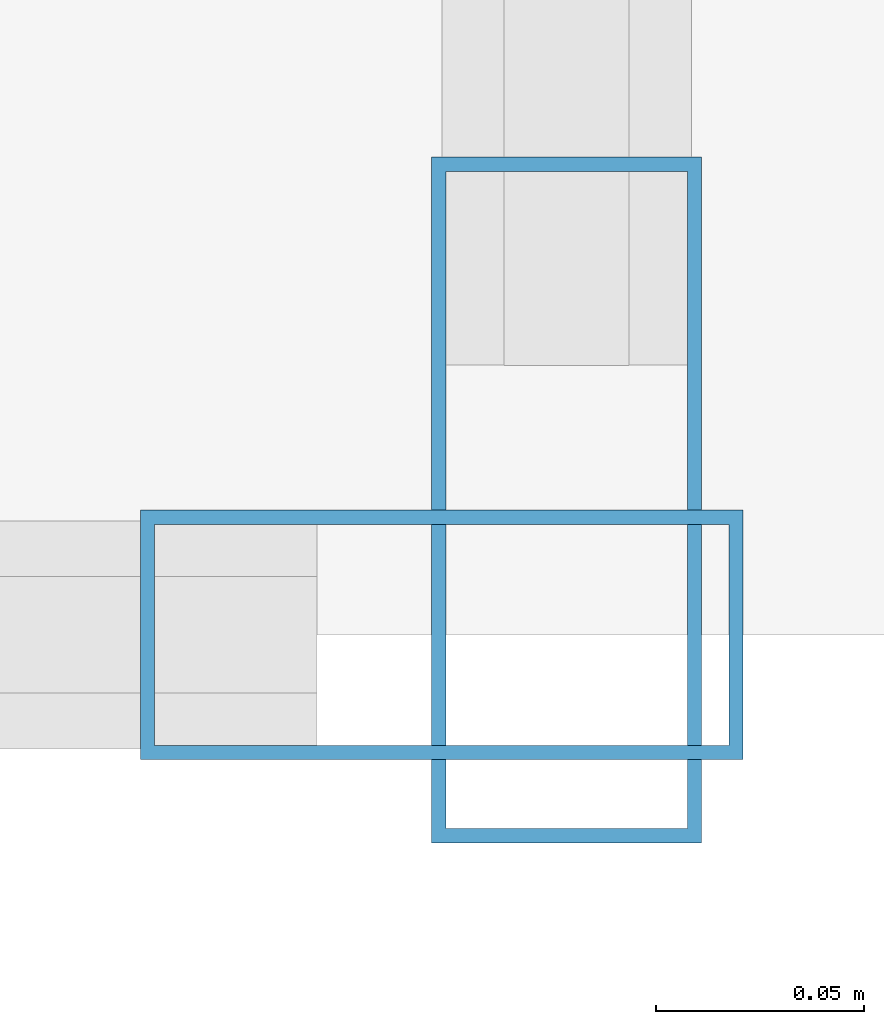
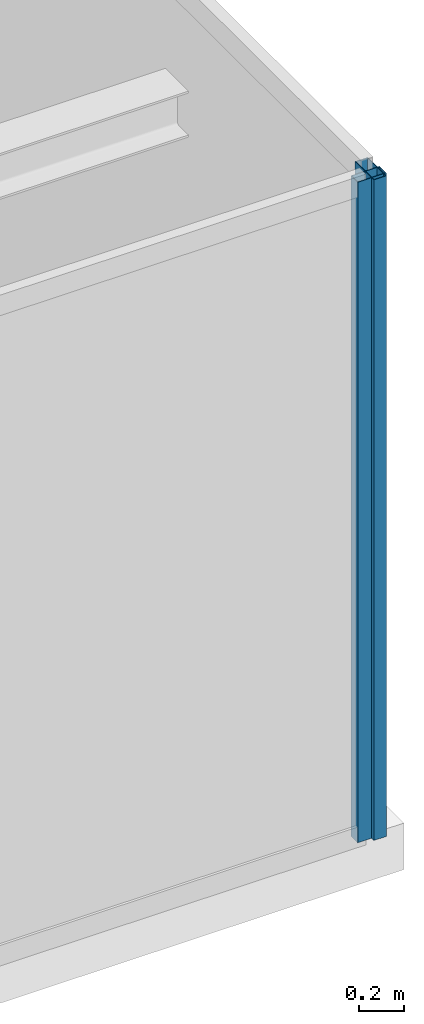
# One storey, part 14 of 27: 2 members, 2 elements without a shape of their own.
"""IFC4 building model written with IfcOpenShell, lengths in metres."""

import ifcopenshell
import ifcopenshell.guid

model = None  # the IFC model being written
_history = None  # IfcOwnerHistory: only IFC2X3 demands one
_inside = {}  # id of a spatial element -> (the spatial element, [elements in it])
_under = {}  # id of a project, library or spatial element -> (it, [spatial elements below it])
_declared = {}  # id of a project -> (the project, [libraries it declares])
_typed = {}  # id of a type object -> (the type object, [elements of that type])
_made_of = {}  # id of a material, layer set ... -> (it, [elements and type objects made of it])


def new_model(schema):
    """Start an empty IFC model of exactly this schema.

    Asked for "IFC4X3", IfcOpenShell would pick the latest addendum, in which some entities
    have other attributes; the version numbers below select the first issue.
    IFC2X3 requires an IfcOwnerHistory on every rooted entity: one is made here for all.
    """
    global model, _history
    if schema == "IFC4X3":
        model = ifcopenshell.file(schema_version=(4, 3, 0, 0))
    else:
        model = ifcopenshell.file(schema=schema)
    _inside.clear()
    _under.clear()
    _declared.clear()
    _typed.clear()
    _made_of.clear()
    _history = None
    if model.schema == "IFC2X3":
        org = make("IfcOrganization", Name="unknown")
        user = make(
            "IfcPersonAndOrganization",
            ThePerson=make("IfcPerson", FamilyName="unknown"),
            TheOrganization=org,
        )
        app = make(
            "IfcApplication",
            ApplicationDeveloper=org,
            Version="unknown",
            ApplicationFullName="unknown",
            ApplicationIdentifier="unknown",
        )
        _history = make(
            "IfcOwnerHistory",
            OwningUser=user,
            OwningApplication=app,
            ChangeAction="ADDED",
            CreationDate=0,
        )
    return model


def make(cls, **values):
    """One entity of the class cls with the attributes given. An attribute that is None is left unset."""
    return model.create_entity(
        cls, **{name: value for name, value in values.items() if value is not None}
    )


def rooted(cls, **values):
    """An entity with a GlobalId (a new one), such as an element, a storey or a relation."""
    return make(cls, GlobalId=ifcopenshell.guid.new(), OwnerHistory=_history, **values)


def si_unit(unit_type, name, prefix=None):
    """IfcSIUnit, for example si_unit("LENGTHUNIT", "METRE", prefix="MILLI")."""
    return make("IfcSIUnit", UnitType=unit_type, Prefix=prefix, Name=name)


def assignment(units):
    """IfcUnitAssignment: the units of a project."""
    return None if units is None else make("IfcUnitAssignment", Units=units)


def point(xyz):
    """IfcCartesianPoint."""
    return None if xyz is None else make("IfcCartesianPoint", Coordinates=xyz)


def direction(xyz):
    """IfcDirection."""
    return None if xyz is None else make("IfcDirection", DirectionRatios=xyz)


def frame(location, z_axis=None, x_axis=None):
    """IfcAxis2Placement3D, a coordinate frame: its origin and axes. An axis left out is left unset."""
    return make(
        "IfcAxis2Placement3D",
        Location=point(location),
        Axis=direction(z_axis),
        RefDirection=direction(x_axis),
    )


def frame_2d(location, x_axis=None):
    """IfcAxis2Placement2D, a coordinate frame in the plane: its origin and x axis."""
    return make(
        "IfcAxis2Placement2D", Location=point(location), RefDirection=direction(x_axis)
    )


def origin():
    """The frame at (0, 0, 0) with its axes left unset."""
    return frame((0.0, 0.0, 0.0))


def origin_2d():
    """The frame at (0, 0) in the plane with its x axis left unset."""
    return frame_2d((0.0, 0.0))


def place(relative_to, where):
    """IfcLocalPlacement: puts the frame where relative to a parent placement (None: the world)."""
    return make(
        "IfcLocalPlacement", PlacementRelTo=relative_to, RelativePlacement=where
    )


def context(
    kind, dimensions, precision=None, world=None, true_north=None, identifier=None
):
    """IfcGeometricRepresentationContext, for example the 3D "Model" context."""
    return make(
        "IfcGeometricRepresentationContext",
        ContextIdentifier=identifier,
        ContextType=kind,
        CoordinateSpaceDimension=dimensions,
        Precision=precision,
        WorldCoordinateSystem=world,
        TrueNorth=true_north,
    )


def subcontext(parent, identifier, kind, view, scale=None):
    """IfcGeometricRepresentationSubContext, for example "Body" below "Model"."""
    return make(
        "IfcGeometricRepresentationSubContext",
        ContextIdentifier=identifier,
        ContextType=kind,
        ParentContext=parent,
        TargetScale=scale,
        TargetView=view,
    )


def project(units=None, contexts=None):
    """IfcProject with its units and contexts."""
    return rooted(
        "IfcProject",
        Name="project",
        RepresentationContexts=contexts,
        UnitsInContext=assignment(units),
    )


def spatial(cls, under=None, at=None, **own):
    """A site, building, storey or space (cls), placed at a placement, below another one or the project."""
    s = rooted(cls, ObjectPlacement=at, **own)
    if under is not None:
        _under.setdefault(under.id(), (under, []))[1].append(s)
    return s


def profile(cls, at=None, kind="AREA", **sizes):
    """A parametric profile (cls). Its sizes go by their IFC names, for example OverallWidth=200.0."""
    return make(cls, ProfileType=kind, Position=at, **sizes)


def hollow_rectangle(**sizes):
    """IfcRectangleHollowProfileDef."""
    return profile("IfcRectangleHollowProfileDef", **sizes)


def extrude(swept, where, along, depth):
    """IfcExtrudedAreaSolid: the profile swept, set in the frame where, extruded along a direction by depth."""
    return make(
        "IfcExtrudedAreaSolid",
        SweptArea=swept,
        Position=where,
        ExtrudedDirection=direction(along),
        Depth=depth,
    )


def shape(context_of_items, identifier, shape_type, items):
    """IfcShapeRepresentation: the items that make up one representation, for example the "Body"."""
    return make(
        "IfcShapeRepresentation",
        ContextOfItems=context_of_items,
        RepresentationIdentifier=identifier,
        RepresentationType=shape_type,
        Items=items,
    )


def source(mapping_origin, context_of_items, identifier, shape_type, items):
    """IfcRepresentationMap: a shape defined once, which mapped items show again and again."""
    return make(
        "IfcRepresentationMap",
        MappingOrigin=mapping_origin,
        MappedRepresentation=shape(context_of_items, identifier, shape_type, items),
    )


def transform(
    local_origin,
    x_axis=None,
    y_axis=None,
    z_axis=None,
    scale=None,
    scale2=None,
    scale3=None,
    uniform=True,
):
    """IfcCartesianTransformationOperator3D, or its non-uniform kind. x_axis, y_axis, z_axis: its Axis1, 2, 3."""
    if uniform:
        return make(
            "IfcCartesianTransformationOperator3D",
            Axis1=direction(x_axis),
            Axis2=direction(y_axis),
            LocalOrigin=point(local_origin),
            Scale=scale,
            Axis3=direction(z_axis),
        )
    return make(
        "IfcCartesianTransformationOperator3DnonUniform",
        Axis1=direction(x_axis),
        Axis2=direction(y_axis),
        LocalOrigin=point(local_origin),
        Scale=scale,
        Axis3=direction(z_axis),
        Scale2=scale2,
        Scale3=scale3,
    )


def mapped(mapping_source, mapping_target):
    """IfcMappedItem: shows the shape of a source again, moved by a transform."""
    return make(
        "IfcMappedItem", MappingSource=mapping_source, MappingTarget=mapping_target
    )


def material(Name=None, Category=None):
    """IfcMaterial."""
    return make("IfcMaterial", Name=Name, Category=Category)


def layer(
    of_material, thickness, ventilated=None, Name=None, Category=None, Priority=None
):
    """IfcMaterialLayer: one layer of a wall or slab, of a material (None: an air gap)."""
    return make(
        "IfcMaterialLayer",
        Material=of_material,
        LayerThickness=thickness,
        IsVentilated=ventilated,
        Name=Name,
        Category=Category,
        Priority=Priority,
    )


def layer_set(layers, Name=None):
    """IfcMaterialLayerSet."""
    return make("IfcMaterialLayerSet", MaterialLayers=layers, LayerSetName=Name)


def material_profile(
    of_material, cross_section, Name=None, Category=None, Priority=None
):
    """IfcMaterialProfile: a cross section and its material."""
    return make(
        "IfcMaterialProfile",
        Name=Name,
        Material=of_material,
        Profile=cross_section,
        Priority=Priority,
        Category=Category,
    )


def profile_set(profiles, Name=None, composite=None):
    """IfcMaterialProfileSet."""
    return make(
        "IfcMaterialProfileSet",
        Name=Name,
        MaterialProfiles=profiles,
        CompositeProfile=composite,
    )


def made_of(thing, what):
    """Note that an element or type object is made of a material, layer set ...; save() writes the relation."""
    if what is not None:
        _made_of.setdefault(what.id(), (what, []))[1].append(thing)
    return thing


def type_object(cls, material=None, **own):
    """A type object (cls), such as IfcWallType, which elements share."""
    return made_of(rooted(cls, **own), material)


def type_shapes(of_type, sources):
    """Give a type object the sources (RepresentationMaps) that its elements show as mapped items."""
    of_type.RepresentationMaps = sources


def element(
    cls,
    number,
    at=None,
    inside=None,
    cuts=None,
    type_object=None,
    material=None,
    context=None,
    identifier="Body",
    shape_type=None,
    held_by="IfcProductDefinitionShape",
    body=None,
    shapes=None,
    **own,
):
    """One element of the class cls, such as IfcWall. Its Tag is "e" and its number.

    at: its placement. inside: the storey or other place that contains it. cuts: it is an
    opening in that element (IfcRelVoidsElement). A single representation is given by context,
    identifier, shape_type and body (its items); several are given by shapes. held_by: the class
    of the entity that holds the representations. save() writes the other relations.
    """
    e = rooted(cls, Tag="e%d" % number, ObjectPlacement=at, **own)
    if body is not None:
        shapes = [shape(context, identifier, shape_type, body)]
    if shapes is not None:
        e.Representation = make(held_by, Representations=shapes)
    if inside is not None:
        _inside.setdefault(inside.id(), (inside, []))[1].append(e)
    if cuts is not None:
        rooted(
            "IfcRelVoidsElement", RelatingBuildingElement=cuts, RelatedOpeningElement=e
        )
    if type_object is not None:
        _typed.setdefault(type_object.id(), (type_object, []))[1].append(e)
    return made_of(e, material)


def aggregate(whole, parts):
    """IfcRelAggregates: a whole, such as a stair, and the parts it consists of."""
    return rooted("IfcRelAggregates", RelatingObject=whole, RelatedObjects=parts)


def save(model, path):
    """Write the relations noted so far, then the file.

    IfcRelAggregates (storeys below a building ...), IfcRelContainedInSpatialStructure (elements
    in a storey), IfcRelDefinesByType, IfcRelAssociatesMaterial and IfcRelDeclares: one each for
    every whole, place, type object, material and project.
    """
    for whole, parts in _under.values():
        aggregate(whole, parts)
    for where, things in _inside.values():
        rooted(
            "IfcRelContainedInSpatialStructure",
            RelatedElements=things,
            RelatingStructure=where,
        )
    for kind, things in _typed.values():
        rooted("IfcRelDefinesByType", RelatedObjects=things, RelatingType=kind)
    for what, things in _made_of.values():
        rooted("IfcRelAssociatesMaterial", RelatedObjects=things, RelatingMaterial=what)
    for by, libraries in _declared.values():
        rooted("IfcRelDeclares", RelatingContext=by, RelatedDefinitions=libraries)
    model.write(path)


model = new_model("IFC4")

# Units and contexts
model_context = context("Model", 3, precision=1e-05, world=origin(), true_north=direction((0.0, 1.0)))
body_context = subcontext(model_context, "Body", "Model", "MODEL_VIEW")
ifc_project = project(units=[si_unit("LENGTHUNIT", "METRE"), si_unit("AREAUNIT", "SQUARE_METRE"), si_unit("VOLUMEUNIT", "CUBIC_METRE"), si_unit("PLANEANGLEUNIT", "RADIAN"), si_unit("MASSUNIT", "GRAM", prefix="KILO")], contexts=[model_context])

# Site, building, storey
site_placement = place(None, origin())
site = spatial("IfcSite", under=ifc_project, at=site_placement, CompositionType="ELEMENT")
building_placement = place(site_placement, origin())
building = spatial("IfcBuilding", under=site, at=building_placement, Name="Varnel Quay Broadcast Tower", CompositionType="ELEMENT")
storey_placement = place(building_placement, frame((0.0, 0.0, 243.199951171875)))
storey = spatial("IfcBuildingStorey", under=building, at=storey_placement, Name="L60", CompositionType="ELEMENT", Elevation=243.199951171875)

# Curtain wall, member
ifc_material = material(Name="Anodised Bronze Aluminium 6063-T6", Category="aluminium")
ifc_layer_1 = layer(ifc_material, 0.18994140625, Name="Anodised Bronze Aluminium 6063-T6")
ifc_layer_set_1 = layer_set([ifc_layer_1], Name="Anodised Bronze Aluminium 6063-T6")
curtain_wall_type_1 = type_object("IfcCurtainWallType", Name="CW_NotchCorner", PredefinedType="NOTDEFINED", material=ifc_layer_set_1)
curtain_wall_1_placement = place(storey_placement, origin())
curtain_wall_1 = element("IfcCurtainWall", 1, at=curtain_wall_1_placement, inside=storey, type_object=curtain_wall_type_1, Name="L60 SE Notch Curtain Wall", PredefinedType="NOTDEFINED")
ifc_material_profile_1 = material_profile(ifc_material, hollow_rectangle(XDim=0.06005859375, YDim=0.14501953125, WallThickness=0.00341796875, at=origin_2d()), Name="ALU60X145X3.5")
ifc_profile_set_1 = profile_set([ifc_material_profile_1], Name="Anodised Bronze Aluminium 6063-T6")
member_type_1 = type_object("IfcMemberType", Name="Mull_CWS-04", PredefinedType="MULLION", material=ifc_profile_set_1)
shared_shape_1 = source(origin(), body_context, "Body", "SweptSolid", [
    extrude(hollow_rectangle(XDim=0.06005859375, YDim=0.14501953125, WallThickness=0.00341796875, at=origin_2d()), origin(), (0.0, 0.0, 1.0), 3.550048828125),
])
type_shapes(member_type_1, [shared_shape_1])
member_1_placement = place(storey_placement, frame((58.320068359375, 13.60009765625, 0.0), z_axis=(0.0, 0.0, 1.0), x_axis=(0.0, 1.0, 0.0)))
member_1 = element("IfcMember", 2, at=member_1_placement, type_object=member_type_1, Name="CWS-04 mullion 2", PredefinedType="MULLION", context=body_context, shape_type="MappedRepresentation", body=[
    mapped(shared_shape_1, transform((0.0, 0.0, 0.0), x_axis=(1.0, 0.0, 0.0), y_axis=(0.0, 1.0, 0.0), z_axis=(0.0, 0.0, 1.0), scale=1.0)),
])
aggregate(curtain_wall_1, [member_1])

ifc_layer_2 = layer(ifc_material, 0.18994140625, Name="Anodised Bronze Aluminium 6063-T6")
ifc_layer_set_2 = layer_set([ifc_layer_2], Name="Anodised Bronze Aluminium 6063-T6")
curtain_wall_type_2 = type_object("IfcCurtainWallType", Name="CW_UpperTower", PredefinedType="NOTDEFINED", material=ifc_layer_set_2)
curtain_wall_2_placement = place(storey_placement, origin())
curtain_wall_2 = element("IfcCurtainWall", 3, at=curtain_wall_2_placement, inside=storey, type_object=curtain_wall_type_2, Name="L60 East Unitised Curtain Wall", PredefinedType="NOTDEFINED")
ifc_material_profile_2 = material_profile(ifc_material, hollow_rectangle(XDim=0.06494140625, YDim=0.1650390625, WallThickness=0.00341796875, at=origin_2d()), Name="ALU65X165X3.5")
ifc_profile_set_2 = profile_set([ifc_material_profile_2], Name="Anodised Bronze Aluminium 6063-T6")
member_type_2 = type_object("IfcMemberType", Name="Mull_CWS-03", PredefinedType="MULLION", material=ifc_profile_set_2)
shared_shape_2 = source(origin(), body_context, "Body", "SweptSolid", [
    extrude(hollow_rectangle(XDim=0.06494140625, YDim=0.1650390625, WallThickness=0.00341796875, at=origin_2d()), origin(), (0.0, 0.0, 1.0), 3.550048828125),
])
type_shapes(member_type_2, [shared_shape_2])
member_2_placement = place(storey_placement, frame((58.35009765625, 13.632568359375, 0.0), z_axis=(0.0, 0.0, 1.0), x_axis=(-1.0, 0.0, 0.0)))
member_2 = element("IfcMember", 4, at=member_2_placement, type_object=member_type_2, Name="CWS-03 mullion 1", PredefinedType="MULLION", context=body_context, shape_type="MappedRepresentation", body=[
    mapped(shared_shape_2, transform((0.0, 0.0, 0.0), x_axis=(1.0, 0.0, 0.0), y_axis=(0.0, 1.0, 0.0), z_axis=(0.0, 0.0, 1.0), scale=1.0)),
])
aggregate(curtain_wall_2, [member_2])

save(model, "model.ifc")
